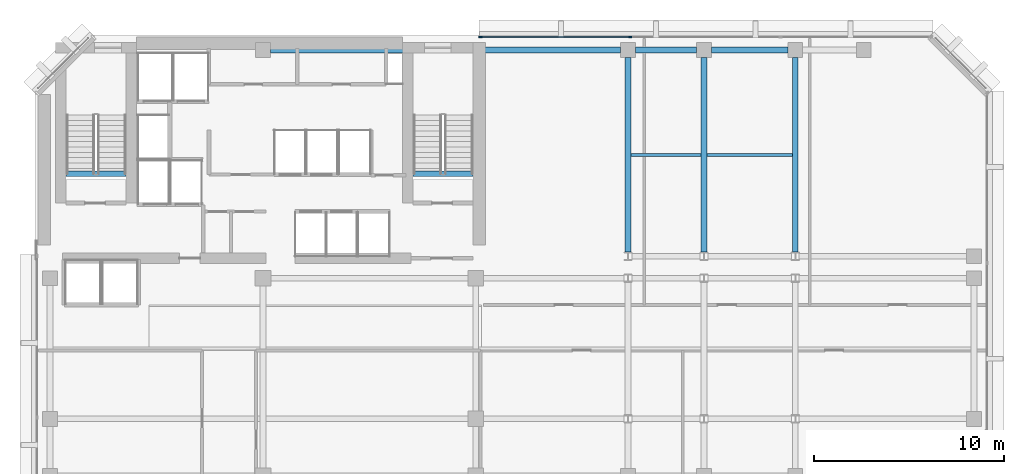
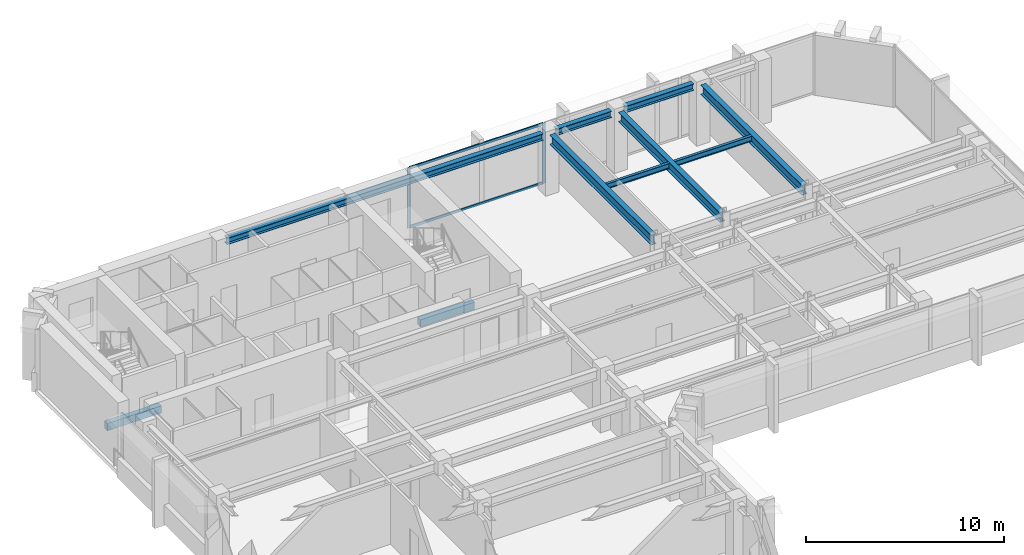
# One storey, part 4 of 12: 10 beams, 4 members, 1 element without a shape of its own.
"""IFC4 building model written with IfcOpenShell, lengths in metres."""

from ifc_helpers import new_model, si_unit, direction, frame, origin, origin_2d, place, context, subcontext, project, spatial, rectangle, i_section, extrude, material, layer, layer_set, material_profile, profile_set, type_object, element, aggregate, save


model = new_model("IFC4")

# Units and contexts
model_context = context("Model", 3, precision=1e-05, world=origin(), true_north=direction((0.0, 1.0)))
body_context = subcontext(model_context, "Body", "Model", "MODEL_VIEW")
ifc_project = project(units=[si_unit("LENGTHUNIT", "METRE"), si_unit("AREAUNIT", "SQUARE_METRE"), si_unit("VOLUMEUNIT", "CUBIC_METRE"), si_unit("PLANEANGLEUNIT", "RADIAN"), si_unit("MASSUNIT", "GRAM", prefix="KILO")], contexts=[model_context])

# Site, building, storey
site_placement = place(None, origin())
site = spatial("IfcSite", under=ifc_project, at=site_placement, CompositionType="ELEMENT")
building_placement = place(site_placement, origin())
building = spatial("IfcBuilding", under=site, at=building_placement, Name="Kefirva Bronze Tower", CompositionType="ELEMENT")
storey_placement = place(building_placement, frame((0.0, 0.0, 199.320068359375)))
storey = spatial("IfcBuildingStorey", under=building, at=storey_placement, Name="L48", CompositionType="ELEMENT", Elevation=199.320068359375)

# Curtain wall, members
ifc_material_1 = material(Name="Bronze anodised aluminium", Category="aluminium")
ifc_layer = layer(ifc_material_1, 0.179931640625, Name="Bronze anodised aluminium")
ifc_layer_set = layer_set([ifc_layer], Name="Bronze anodised aluminium")
curtain_wall_type = type_object("IfcCurtainWallType", Name="Unitised Bronze Ribbon Curtain Wall Zone 3", PredefinedType="USERDEFINED", material=ifc_layer_set)
curtain_wall_placement = place(storey_placement, origin())
curtain_wall = element("IfcCurtainWall", 1, at=curtain_wall_placement, inside=storey, type_object=curtain_wall_type, Name="L48 Curtain Wall 3", ObjectType="UNITISED CURTAIN WALL", PredefinedType="USERDEFINED")
ifc_material_profile_1 = material_profile(ifc_material_1, rectangle(XDim=0.074951171875, YDim=0.179931640625, at=origin_2d()), Name="ALU 75x180")
ifc_profile_set_1 = profile_set([ifc_material_profile_1], Name="Bronze anodised aluminium")
member_type_1 = type_object("IfcMemberType", Name="Bronze Mullion 75x180", PredefinedType="MULLION", material=ifc_profile_set_1)
member_1_placement = place(storey_placement, frame((31.318359375, 45.8798828125, 0.0), z_axis=(0.0, 0.0, 1.0), x_axis=(0.0, -1.0, 0.0)))
member_1 = element("IfcMember", 2, at=member_1_placement, type_object=member_type_1, Name="CW-03 mullion 3", PredefinedType="MULLION", context=body_context, shape_type="SweptSolid", body=[
    extrude(rectangle(XDim=0.074951171875, YDim=0.179931640625, at=origin_2d()), origin(), (0.0, 0.0, 1.0), 3.7099609375),
])
member_2_placement = place(storey_placement, frame((23.4423828125, 45.8798828125, 0.0), z_axis=(0.0, 0.0, 1.0), x_axis=(0.0, -1.0, 0.0)))
member_2 = element("IfcMember", 3, at=member_2_placement, type_object=member_type_1, Name="CW-03 mullion 4", PredefinedType="MULLION", context=body_context, shape_type="SweptSolid", body=[
    extrude(rectangle(XDim=0.074951171875, YDim=0.179931640625, at=origin_2d()), origin(), (0.0, 0.0, 1.0), 3.7099609375),
])
ifc_material_profile_2 = material_profile(ifc_material_1, rectangle(XDim=0.074951171875, YDim=0.14990234375, at=origin_2d()), Name="ALU 75x150")
ifc_profile_set_2 = profile_set([ifc_material_profile_2], Name="Bronze anodised aluminium")
member_type_2 = type_object("IfcMemberType", Name="Bronze Transom 75x150", PredefinedType="USERDEFINED", material=ifc_profile_set_2)
member_3_placement = place(storey_placement, frame((31.28076171875, 45.8798828125, 0.037353515625), z_axis=(-1.0, 0.0, 0.0), x_axis=(0.0, -1.0, 0.0)))
member_3 = element("IfcMember", 4, at=member_3_placement, type_object=member_type_2, Name="CW-03 transom 3.1", ObjectType="TRANSOM", PredefinedType="USERDEFINED", context=body_context, shape_type="SweptSolid", body=[
    extrude(rectangle(XDim=0.074951171875, YDim=0.14990234375, at=origin_2d()), origin(), (0.0, 0.0, 1.0), 7.80078125),
])
member_4_placement = place(storey_placement, frame((31.28076171875, 45.8798828125, 3.67236328125), z_axis=(-1.0, 0.0, 0.0), x_axis=(0.0, -1.0, 0.0)))
member_4 = element("IfcMember", 5, at=member_4_placement, type_object=member_type_2, Name="CW-03 transom 3.2", ObjectType="TRANSOM", PredefinedType="USERDEFINED", context=body_context, shape_type="SweptSolid", body=[
    extrude(rectangle(XDim=0.074951171875, YDim=0.14990234375, at=origin_2d()), origin(), (0.0, 0.0, 1.0), 7.80078125),
])
aggregate(curtain_wall, [member_1, member_2, member_3, member_4])

# Beams
ifc_material_2 = material(Name="Concrete C50/60", Category="concrete")
ifc_material_profile_3 = material_profile(ifc_material_2, rectangle(XDim=0.300048828125, YDim=0.449951171875, at=origin_2d()), Name="RC 300x450")
ifc_profile_set_3 = profile_set([ifc_material_profile_3], Name="Concrete C50/60")
beam_type_1 = type_object("IfcBeamType", Name="RC Stair Trimmer Beam 300x450", PredefinedType="BEAM", material=ifc_profile_set_3)
beam_1_placement = place(storey_placement, frame((1.64501953125, 38.699951171875, -0.22509765625), z_axis=(1.0, 0.0, 0.0), x_axis=(0.0, 1.0, 0.0)))
element("IfcBeam", 6, at=beam_1_placement, inside=storey, type_object=beam_type_1, Name="L48 Stair 1 Landing Trimmer Beam", PredefinedType="BEAM", context=body_context, shape_type="SweptSolid", body=[
    extrude(rectangle(XDim=0.300048828125, YDim=0.449951171875, at=origin_2d()), origin(), (0.0, 0.0, 1.0), 3.14990234375),
])
beam_2_placement = place(storey_placement, frame((19.89501953125, 38.699951171875, -0.22509765625), z_axis=(1.0, 0.0, 0.0), x_axis=(0.0, 1.0, 0.0)))
element("IfcBeam", 7, at=beam_2_placement, inside=storey, type_object=beam_type_1, Name="L48 Stair 2 Landing Trimmer Beam", PredefinedType="BEAM", context=body_context, shape_type="SweptSolid", body=[
    extrude(rectangle(XDim=0.300048828125, YDim=0.449951171875, at=origin_2d()), origin(), (0.0, 0.0, 1.0), 3.159912109375),
])
ifc_material_3 = material(Name="Steel S355", Category="steel")
ifc_material_profile_4 = material_profile(ifc_material_3, i_section(OverallWidth=0.159912109375, OverallDepth=0.330078125, WebThickness=0.007568359375, FlangeThickness=0.011474609375, at=origin_2d()), Name="IPE 330")
ifc_profile_set_4 = profile_set([ifc_material_profile_4], Name="Steel S355")
beam_type_2 = type_object("IfcBeamType", Name="Steel Floor Joist IPE 330", PredefinedType="JOIST", material=ifc_profile_set_4)
beam_3_placement = place(storey_placement, frame((31.35009765625, 39.688720703125, 3.544921875), z_axis=(1.0, 0.0, 0.0), x_axis=(0.0, 1.0, 0.0)))
element("IfcBeam", 8, at=beam_3_placement, inside=storey, type_object=beam_type_2, Name="L48 JST-L48-31-396", PredefinedType="JOIST", context=body_context, shape_type="SweptSolid", body=[
    extrude(i_section(OverallWidth=0.159912109375, OverallDepth=0.330078125, WebThickness=0.007568359375, FlangeThickness=0.011474609375, at=origin_2d()), origin(), (0.0, 0.0, 1.0), 3.699951171875),
])
beam_4_placement = place(storey_placement, frame((35.35009765625, 39.688720703125, 3.544921875), z_axis=(1.0, 0.0, 0.0), x_axis=(0.0, 1.0, 0.0)))
element("IfcBeam", 9, at=beam_4_placement, inside=storey, type_object=beam_type_2, Name="L48 JST-L48-35-396", PredefinedType="JOIST", context=body_context, shape_type="SweptSolid", body=[
    extrude(i_section(OverallWidth=0.159912109375, OverallDepth=0.330078125, WebThickness=0.007568359375, FlangeThickness=0.011474609375, at=origin_2d()), origin(), (0.0, 0.0, 1.0), 4.5),
])
ifc_material_profile_5 = material_profile(ifc_material_3, i_section(OverallWidth=0.300048828125, OverallDepth=0.60009765625, WebThickness=0.015380859375, FlangeThickness=0.030029296875, at=origin_2d()), Name="HEB 600")
ifc_profile_set_5 = profile_set([ifc_material_profile_5], Name="Steel S355")
beam_type_3 = type_object("IfcBeamType", Name="Steel Girder HEB 600", PredefinedType="USERDEFINED", material=ifc_profile_set_5)
for number, where, z_axis, x_axis, name in (
    (10, (31.199951171875, 34.5673828125, 3.409912109375), (0.0, 1.0, 0.0), (-1.0, 0.0, 0.0), "L48 BM-L48-NS-312-34"),
    (11, (35.199951171875, 34.5673828125, 3.409912109375), (0.0, 1.0, 0.0), (-1.0, 0.0, 0.0), "L48 BM-L48-NS-352-34"),
    (12, (40.0, 34.5673828125, 3.409912109375), (0.0, 1.0, 0.0), (-1.0, 0.0, 0.0), "L48 BM-L48-NS-400-34"),
):
    element("IfcBeam", number, at=place(storey_placement, frame(where, z_axis=z_axis, x_axis=x_axis)), inside=storey, type_object=beam_type_3, Name=name, ObjectType="GIRDER", PredefinedType="USERDEFINED", context=body_context, shape_type="SweptSolid", body=[
        extrude(i_section(OverallWidth=0.300048828125, OverallDepth=0.60009765625, WebThickness=0.015380859375, FlangeThickness=0.030029296875, at=origin_2d()), origin(), (0.0, 0.0, 1.0), 10.24267578125),
    ])
ifc_material_profile_6 = material_profile(ifc_material_3, i_section(OverallWidth=0.300048828125, OverallDepth=0.39990234375, WebThickness=0.013427734375, FlangeThickness=0.02392578125, at=origin_2d()), Name="HEB 400")
ifc_profile_set_6 = profile_set([ifc_material_profile_6], Name="Steel S355")
beam_type_4 = type_object("IfcBeamType", Name="Steel Spandrel HEB 400 Ext", PredefinedType="SPANDREL", material=ifc_profile_set_6)
beam_5_placement = place(storey_placement, frame((12.389892578125, 45.199951171875, 3.510009765625), z_axis=(1.0, 0.0, 0.0), x_axis=(0.0, 1.0, 0.0)))
element("IfcBeam", 13, at=beam_5_placement, inside=storey, type_object=beam_type_4, Name="L48 BM-L48-EW-12-452", PredefinedType="SPANDREL", context=body_context, shape_type="SweptSolid", body=[
    extrude(i_section(OverallWidth=0.300048828125, OverallDepth=0.39990234375, WebThickness=0.013427734375, FlangeThickness=0.02392578125, at=origin_2d()), origin(), (0.0, 0.0, 1.0), 18.420166015625),
])
beam_6_placement = place(storey_placement, frame((31.590087890625, 45.199951171875, 3.510009765625), z_axis=(1.0, 0.0, 0.0), x_axis=(0.0, 1.0, 0.0)))
element("IfcBeam", 14, at=beam_6_placement, inside=storey, type_object=beam_type_4, Name="L48 BM-L48-EW-31-452", PredefinedType="SPANDREL", context=body_context, shape_type="SweptSolid", body=[
    extrude(i_section(OverallWidth=0.300048828125, OverallDepth=0.39990234375, WebThickness=0.013427734375, FlangeThickness=0.02392578125, at=origin_2d()), origin(), (0.0, 0.0, 1.0), 3.219970703125),
])
beam_7_placement = place(storey_placement, frame((35.590087890625, 45.199951171875, 3.510009765625), z_axis=(1.0, 0.0, 0.0), x_axis=(0.0, 1.0, 0.0)))
element("IfcBeam", 15, at=beam_7_placement, inside=storey, type_object=beam_type_4, Name="L48 BM-L48-EW-35-452", PredefinedType="SPANDREL", context=body_context, shape_type="SweptSolid", body=[
    extrude(i_section(OverallWidth=0.300048828125, OverallDepth=0.39990234375, WebThickness=0.013427734375, FlangeThickness=0.02392578125, at=origin_2d()), origin(), (0.0, 0.0, 1.0), 4.02001953125),
])

save(model, "model.ifc")
